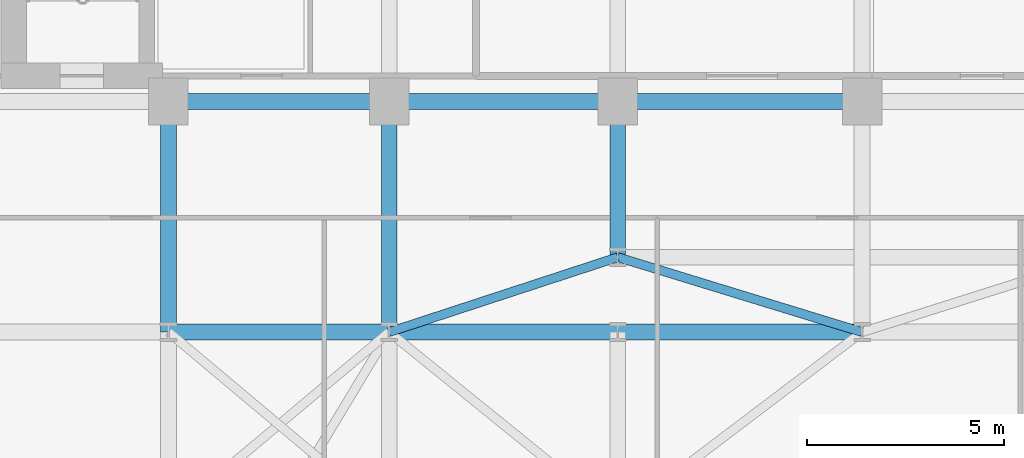
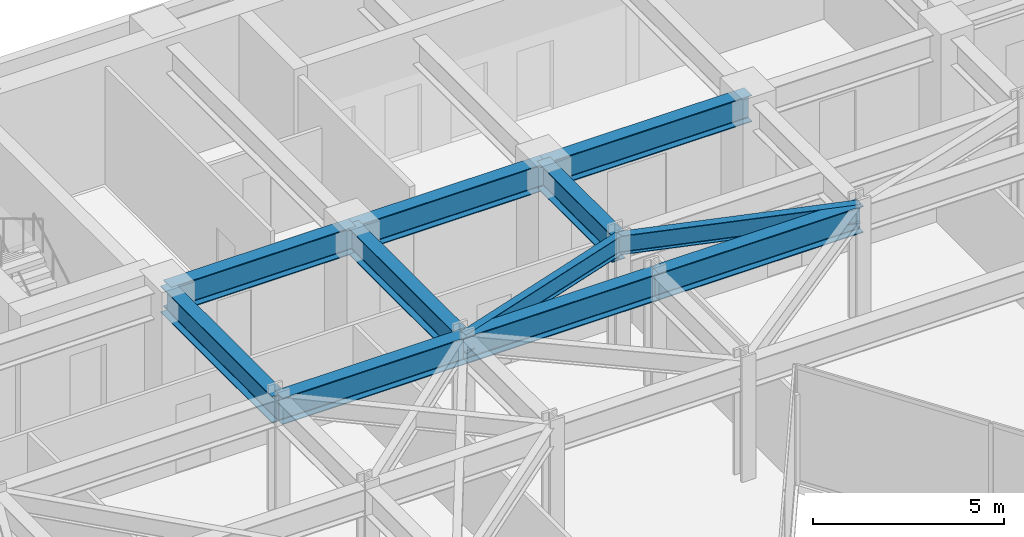
# One storey, part 14 of 26: 11 beams.
"""IFC4 building model written with IfcOpenShell, lengths in metres."""

from ifc_helpers import new_model, si_unit, direction, frame, origin, origin_2d, place, context, subcontext, project, spatial, i_section, extrude, material, material_profile, profile_set, type_object, element, save


model = new_model("IFC4")

# Units and contexts
model_context = context("Model", 3, precision=1e-05, world=origin(), true_north=direction((0.0, 1.0)))
body_context = subcontext(model_context, "Body", "Model", "MODEL_VIEW")
ifc_project = project(units=[si_unit("LENGTHUNIT", "METRE"), si_unit("AREAUNIT", "SQUARE_METRE"), si_unit("VOLUMEUNIT", "CUBIC_METRE"), si_unit("PLANEANGLEUNIT", "RADIAN"), si_unit("MASSUNIT", "GRAM", prefix="KILO")], contexts=[model_context])

# Site, building, storey
site_placement = place(None, origin())
site = spatial("IfcSite", under=ifc_project, at=site_placement, CompositionType="ELEMENT")
building_placement = place(site_placement, origin())
building = spatial("IfcBuilding", under=site, at=building_placement, Name="Kravanh Interchange Tower", CompositionType="ELEMENT")
storey_placement = place(building_placement, frame((0.0, 0.0, 100.0)))
storey = spatial("IfcBuildingStorey", under=building, at=storey_placement, Name="L23", CompositionType="ELEMENT", Elevation=100.0)

# Beams
ifc_material_1 = material(Name="Structural Steel S355", Category="steel")
ifc_material_profile_1 = material_profile(ifc_material_1, i_section(OverallWidth=0.39990234375, OverallDepth=0.85595703125, WebThickness=0.018310546875, FlangeThickness=0.029296875, FilletRadius=0.02490234375, at=origin_2d()), Name="W33X201")
ifc_profile_set_1 = profile_set([ifc_material_profile_1], Name="Structural Steel S355")
beam_type_1 = type_object("IfcBeamType", Name="Floor Beam W33X201 Structural Steel S355", PredefinedType="BEAM", material=ifc_profile_set_1)
beam_1_placement = place(storey_placement, frame((44.800048828125, 37.35009765625, 3.322021484375), z_axis=(-1.0, 0.0, 0.0), x_axis=(0.0, -1.0, 0.0)))
element("IfcBeam", 1, at=beam_1_placement, inside=storey, type_object=beam_type_1, Name="L23 Primary Floor Girder 13", PredefinedType="BEAM", context=body_context, shape_type="SweptSolid", body=[
    extrude(i_section(OverallWidth=0.39990234375, OverallDepth=0.85595703125, WebThickness=0.018310546875, FlangeThickness=0.029296875, FilletRadius=0.02490234375, at=origin_2d()), origin(), (0.0, 0.0, 1.0), 6.199951171875),
])
beam_2_placement = place(storey_placement, frame((38.60009765625, 37.35009765625, 3.322021484375), z_axis=(0.0, -1.0, 0.0), x_axis=(1.0, 0.0, 0.0)))
element("IfcBeam", 2, at=beam_2_placement, inside=storey, type_object=beam_type_1, Name="L23 Primary Floor Girder 16", PredefinedType="BEAM", context=body_context, shape_type="SweptSolid", body=[
    extrude(i_section(OverallWidth=0.39990234375, OverallDepth=0.85595703125, WebThickness=0.018310546875, FlangeThickness=0.029296875, FilletRadius=0.02490234375, at=origin_2d()), origin(), (0.0, 0.0, 1.0), 3.9501953125),
])
beam_3_placement = place(storey_placement, frame((38.60009765625, 37.35009765625, 3.322021484375), z_axis=(-1.0, 0.0, 0.0), x_axis=(0.0, -1.0, 0.0)))
element("IfcBeam", 3, at=beam_3_placement, inside=storey, type_object=beam_type_1, Name="L23 Primary Floor Girder 17", PredefinedType="BEAM", context=body_context, shape_type="SweptSolid", body=[
    extrude(i_section(OverallWidth=0.39990234375, OverallDepth=0.85595703125, WebThickness=0.018310546875, FlangeThickness=0.029296875, FilletRadius=0.02490234375, at=origin_2d()), origin(), (0.0, 0.0, 1.0), 5.800048828125),
])
beam_4_placement = place(storey_placement, frame((32.800048828125, 37.35009765625, 3.322021484375), z_axis=(-1.0, 0.0, 0.0), x_axis=(0.0, -1.0, 0.0)))
element("IfcBeam", 4, at=beam_4_placement, inside=storey, type_object=beam_type_1, Name="L23 Primary Floor Girder 20", PredefinedType="BEAM", context=body_context, shape_type="SweptSolid", body=[
    extrude(i_section(OverallWidth=0.39990234375, OverallDepth=0.85595703125, WebThickness=0.018310546875, FlangeThickness=0.029296875, FilletRadius=0.02490234375, at=origin_2d()), origin(), (0.0, 0.0, 1.0), 5.60009765625),
])
for number, where, z_axis, x_axis, name in (
    (5, (32.800048828125, 37.35009765625, 3.322021484375), (0.0, -1.0, 0.0), (1.0, 0.0, 0.0), "L23 Primary Floor Girder 21"),
    (6, (27.199951171875, 37.35009765625, 3.322021484375), (0.0, -1.0, 0.0), (1.0, 0.0, 0.0), "L23 Primary Floor Girder 24"),
):
    element("IfcBeam", number, at=place(storey_placement, frame(where, z_axis=z_axis, x_axis=x_axis)), inside=storey, type_object=beam_type_1, Name=name, PredefinedType="BEAM", context=body_context, shape_type="SweptSolid", body=[
        extrude(i_section(OverallWidth=0.39990234375, OverallDepth=0.85595703125, WebThickness=0.018310546875, FlangeThickness=0.029296875, FilletRadius=0.02490234375, at=origin_2d()), origin(), (0.0, 0.0, 1.0), 5.85009765625),
    ])
beam_5_placement = place(storey_placement, frame((27.199951171875, 31.5, 3.322021484375), z_axis=(1.0, 0.0, 0.0), x_axis=(0.0, 1.0, 0.0)))
element("IfcBeam", 7, at=beam_5_placement, inside=storey, type_object=beam_type_1, Name="L23 Primary Floor Girder 74", PredefinedType="BEAM", context=body_context, shape_type="SweptSolid", body=[
    extrude(i_section(OverallWidth=0.39990234375, OverallDepth=0.85595703125, WebThickness=0.018310546875, FlangeThickness=0.029296875, FilletRadius=0.02490234375, at=origin_2d()), origin(), (0.0, 0.0, 1.0), 5.60009765625),
])
beam_6_placement = place(storey_placement, frame((32.800048828125, 31.5, 3.322021484375), z_axis=(1.0, 0.0, 0.0), x_axis=(0.0, 1.0, 0.0)))
element("IfcBeam", 8, at=beam_6_placement, inside=storey, type_object=beam_type_1, Name="L23 Primary Floor Girder 78", PredefinedType="BEAM", context=body_context, shape_type="SweptSolid", body=[
    extrude(i_section(OverallWidth=0.39990234375, OverallDepth=0.85595703125, WebThickness=0.018310546875, FlangeThickness=0.029296875, FilletRadius=0.02490234375, at=origin_2d()), origin(), (0.0, 0.0, 1.0), 5.800048828125),
])
beam_7_placement = place(storey_placement, frame((38.60009765625, 31.5, 3.322021484375), z_axis=(1.0, 0.0, 0.0), x_axis=(0.0, 1.0, 0.0)))
element("IfcBeam", 9, at=beam_7_placement, inside=storey, type_object=beam_type_1, Name="L23 Primary Floor Girder 81", PredefinedType="BEAM", context=body_context, shape_type="SweptSolid", body=[
    extrude(i_section(OverallWidth=0.39990234375, OverallDepth=0.85595703125, WebThickness=0.018310546875, FlangeThickness=0.029296875, FilletRadius=0.02490234375, at=origin_2d()), origin(), (0.0, 0.0, 1.0), 6.199951171875),
])
ifc_material_2 = material(Name="Structural Steel S355", Category="steel")
ifc_material_profile_2 = material_profile(ifc_material_2, i_section(OverallWidth=0.22802734375, OverallDepth=0.60791015625, WebThickness=0.01123046875, FlangeThickness=0.017333984375, FilletRadius=0.02197265625, at=origin_2d()), Name="W24X76")
ifc_profile_set_2 = profile_set([ifc_material_profile_2], Name="Structural Steel S355")
beam_type_2 = type_object("IfcBeamType", Name="Floor Spandrel W24X76 Structural Steel S355", PredefinedType="SPANDREL", material=ifc_profile_set_2)
beam_8_placement = place(storey_placement, frame((32.800048828125, 31.5, 3.446044921875), z_axis=(0.950314536578, 0.31129131303, 0.0), x_axis=(-0.31129131303, 0.950314536578, 0.0)))
element("IfcBeam", 10, at=beam_8_placement, inside=storey, type_object=beam_type_2, Name="L23 Perimeter Spandrel 79", PredefinedType="SPANDREL", context=body_context, shape_type="SweptSolid", body=[
    extrude(i_section(OverallWidth=0.22802734375, OverallDepth=0.60791015625, WebThickness=0.01123046875, FlangeThickness=0.017333984375, FilletRadius=0.02197265625, at=origin_2d()), origin(), (0.0, 0.0, 1.0), 6.103271484375),
])
beam_9_placement = place(storey_placement, frame((44.800048828125, 31.5, 3.446044921875), z_axis=(-0.956115397264, 0.292990353279, 0.0), x_axis=(-0.292990353279, -0.956115397264, 0.0)))
element("IfcBeam", 11, at=beam_9_placement, inside=storey, type_object=beam_type_2, Name="L23 Perimeter Spandrel 85", PredefinedType="SPANDREL", context=body_context, shape_type="SweptSolid", body=[
    extrude(i_section(OverallWidth=0.22802734375, OverallDepth=0.60791015625, WebThickness=0.01123046875, FlangeThickness=0.017333984375, FilletRadius=0.02197265625, at=origin_2d()), origin(), (0.0, 0.0, 1.0), 6.484619140625),
])

save(model, "model.ifc")
